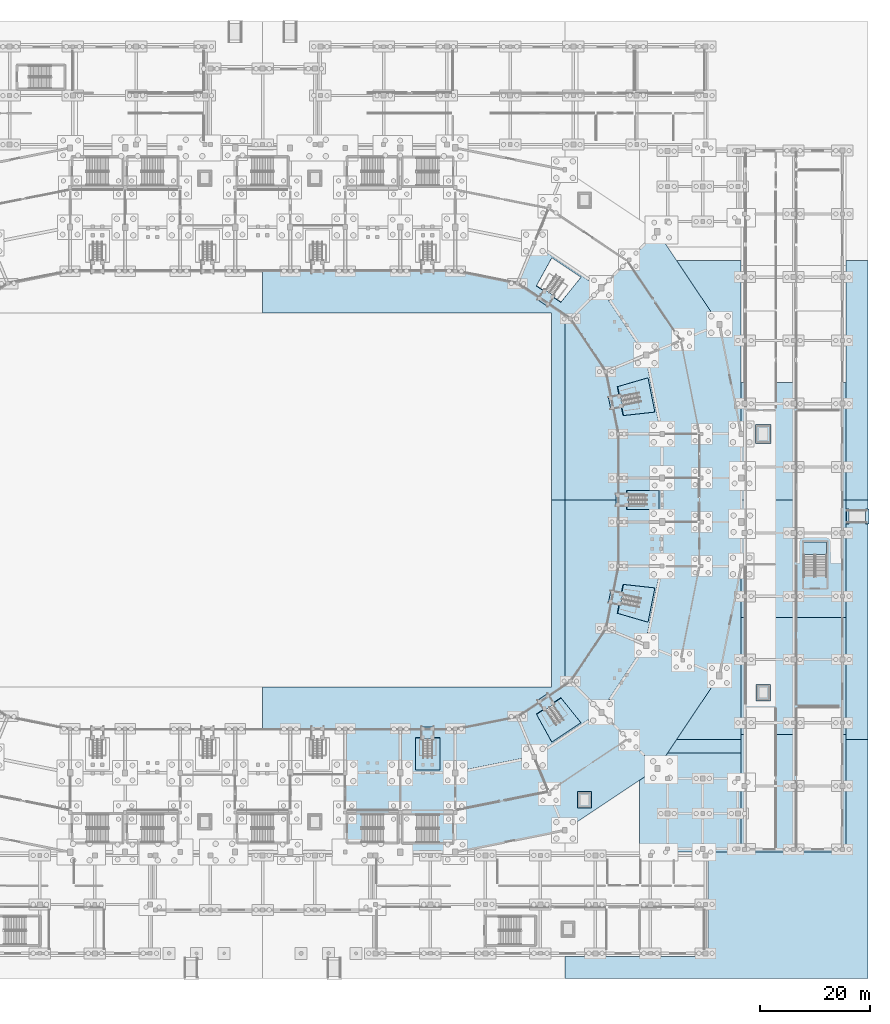
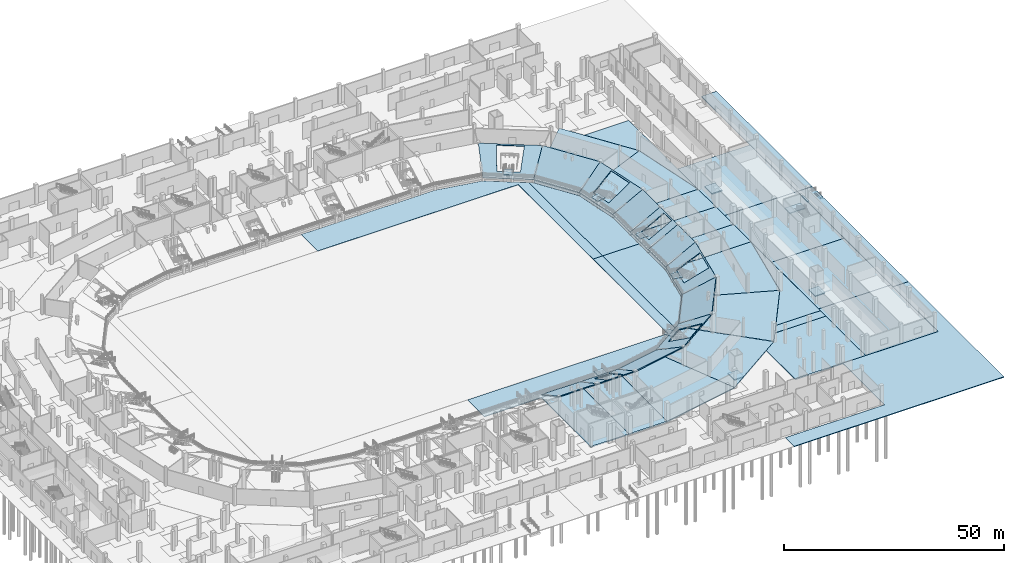
# One storey, part 21 of 68: 50 slabs, 7 elements without a shape of their own.
"""IFC4 building model written with IfcOpenShell, lengths in metres."""

from ifc_helpers import new_model, si_unit, direction, frame, origin, place, context, subcontext, project, spatial, polyline, outline, extrude, material, layer, layer_set, type_object, element, aggregate, save


model = new_model("IFC4")

# Units and contexts
model_context = context("Model", 3, precision=1e-05, world=origin(), true_north=direction((0.0, 1.0)))
body_context = subcontext(model_context, "Body", "Model", "MODEL_VIEW")
ifc_project = project(units=[si_unit("LENGTHUNIT", "METRE"), si_unit("AREAUNIT", "SQUARE_METRE"), si_unit("VOLUMEUNIT", "CUBIC_METRE"), si_unit("PLANEANGLEUNIT", "RADIAN"), si_unit("MASSUNIT", "GRAM", prefix="KILO")], contexts=[model_context])

# Site, building, storey
site_placement = place(None, origin())
site = spatial("IfcSite", under=ifc_project, at=site_placement, CompositionType="ELEMENT")
building_placement = place(site_placement, origin())
building = spatial("IfcBuilding", under=site, at=building_placement, Name="Candeia Ridge Stadium", CompositionType="ELEMENT")
storey_placement = place(building_placement, origin())
storey = spatial("IfcBuildingStorey", under=building, at=storey_placement, Name="L00", CompositionType="ELEMENT", Elevation=0.0)

# Stair, slab
ifc_material_1 = material(Name="Concrete C40/50", Category="concrete")
stair_type_1 = type_object("IfcStairType", Name="Enclosed Wing Half-Turn Stair 2000", PredefinedType="HALF_TURN_STAIR", material=ifc_material_1)
stair_1_placement = place(storey_placement, origin())
stair_1 = element("IfcStair", 1, at=stair_1_placement, inside=storey, type_object=stair_type_1, Name="L00 Enclosed exit stair ST16", PredefinedType="HALF_TURN_STAIR")
ifc_layer_1 = layer(ifc_material_1, 0.199951171875, Name="Concrete C40/50", Category="concrete")
ifc_layer_set_1 = layer_set([ifc_layer_1], Name="Concrete C40/50")
slab_type_1 = type_object("IfcSlabType", Name="Core Stair Landing Slab 200", PredefinedType="LANDING", material=ifc_layer_set_1)
slab_1_placement = place(storey_placement, frame((0.0, 0.0, 2.5)))
slab_1 = element("IfcSlab", 2, at=slab_1_placement, type_object=slab_type_1, Name="ST16 landing 1", PredefinedType="LANDING", context=body_context, shape_type="SweptSolid", body=[
    extrude(outline(polyline([(208.5, 73.06005859375), (208.5, 75.39990234375), (204.35009765625, 75.39990234375), (204.35009765625, 73.06005859375), (208.5, 73.06005859375)])), origin(), (0.0, 0.0, 1.0), 0.199951171875),
])
aggregate(stair_1, [slab_1])

ifc_material_2 = material(Name="Precast concrete C45/55", Category="concrete")
stair_type_2 = type_object("IfcStairType", Name="Spectator Vomitory Straight Stair 2200", PredefinedType="STRAIGHT_RUN_STAIR", material=ifc_material_2)
stair_2_placement = place(storey_placement, origin())
stair_2 = element("IfcStair", 3, at=stair_2_placement, inside=storey, type_object=stair_type_2, Name="Vomitory stair VS13", PredefinedType="STRAIGHT_RUN_STAIR")
slab_2_placement = place(storey_placement, frame((0.0, 0.0, 2.0400390625)))
slab_2 = element("IfcSlab", 4, at=slab_2_placement, type_object=slab_type_1, Name="VS13 landing 1", PredefinedType="LANDING", context=body_context, shape_type="SweptSolid", body=[
    extrude(outline(polyline([(134.8798828125, 39.527587890625), (134.8798828125, 41.778076171875), (137.1201171875, 41.778076171875), (137.1201171875, 39.527587890625), (134.8798828125, 39.527587890625)])), origin(), (0.0, 0.0, 1.0), 0.199951171875),
])
aggregate(stair_2, [slab_2])

stair_3_placement = place(storey_placement, origin())
stair_3 = element("IfcStair", 5, at=stair_3_placement, inside=storey, type_object=stair_type_2, Name="Vomitory stair VS14", PredefinedType="STRAIGHT_RUN_STAIR")
slab_3_placement = place(storey_placement, frame((0.0, 0.0, 2.0400390625)))
slab_3 = element("IfcSlab", 6, at=slab_3_placement, type_object=slab_type_1, Name="VS14 landing 1", PredefinedType="LANDING", context=body_context, shape_type="SweptSolid", body=[
    extrude(outline(polyline([(157.218017578125, 44.712158203125), (155.9677734375, 46.583251953125), (157.830078125, 47.827880859375), (159.08056640625, 45.95654296875), (157.218017578125, 44.712158203125)])), origin(), (0.0, 0.0, 1.0), 0.199951171875),
])
aggregate(stair_3, [slab_3])

stair_4_placement = place(storey_placement, origin())
stair_4 = element("IfcStair", 7, at=stair_4_placement, inside=storey, type_object=stair_type_2, Name="Vomitory stair VS15", PredefinedType="STRAIGHT_RUN_STAIR")
slab_4_placement = place(storey_placement, frame((0.0, 0.0, 2.0400390625)))
slab_4 = element("IfcSlab", 8, at=slab_4_placement, type_object=slab_type_1, Name="VS15 landing 1", PredefinedType="LANDING", context=body_context, shape_type="SweptSolid", body=[
    extrude(outline(polyline([(171.05615234375, 63.879638671875), (168.848876953125, 64.318603515625), (169.285888671875, 66.515625), (171.4931640625, 66.076416015625), (171.05615234375, 63.879638671875)])), origin(), (0.0, 0.0, 1.0), 0.199951171875),
])
aggregate(stair_4, [slab_4])

stair_5_placement = place(storey_placement, origin())
stair_5 = element("IfcStair", 9, at=stair_5_placement, inside=storey, type_object=stair_type_2, Name="Vomitory stair VS16", PredefinedType="STRAIGHT_RUN_STAIR")
slab_5_placement = place(storey_placement, frame((0.0, 0.0, 2.0400390625)))
slab_5 = element("IfcSlab", 10, at=slab_5_placement, type_object=slab_type_1, Name="VS16 landing 1", PredefinedType="LANDING", context=body_context, shape_type="SweptSolid", body=[
    extrude(outline(polyline([(172.472412109375, 81.8798828125), (170.221923828125, 81.8798828125), (170.221923828125, 84.1201171875), (172.472412109375, 84.1201171875), (172.472412109375, 81.8798828125)])), origin(), (0.0, 0.0, 1.0), 0.199951171875),
])
aggregate(stair_5, [slab_5])

stair_6_placement = place(storey_placement, origin())
stair_6 = element("IfcStair", 11, at=stair_6_placement, inside=storey, type_object=stair_type_2, Name="Vomitory stair VS17", PredefinedType="STRAIGHT_RUN_STAIR")
slab_6_placement = place(storey_placement, frame((0.0, 0.0, 2.0400390625)))
slab_6 = element("IfcSlab", 12, at=slab_6_placement, type_object=slab_type_1, Name="VS17 landing 1", PredefinedType="LANDING", context=body_context, shape_type="SweptSolid", body=[
    extrude(outline(polyline([(171.4931640625, 99.923583984375), (169.285888671875, 99.484375), (168.848876953125, 101.681396484375), (171.05615234375, 102.120361328125), (171.4931640625, 99.923583984375)])), origin(), (0.0, 0.0, 1.0), 0.199951171875),
])
aggregate(stair_6, [slab_6])

stair_7_placement = place(storey_placement, origin())
stair_7 = element("IfcStair", 13, at=stair_7_placement, inside=storey, type_object=stair_type_2, Name="Vomitory stair VS18", PredefinedType="STRAIGHT_RUN_STAIR")
slab_7_placement = place(storey_placement, frame((0.0, 0.0, 2.0400390625)))
slab_7 = element("IfcSlab", 14, at=slab_7_placement, type_object=slab_type_1, Name="VS18 landing 1", PredefinedType="LANDING", context=body_context, shape_type="SweptSolid", body=[
    extrude(outline(polyline([(159.08056640625, 120.04345703125), (157.830078125, 118.172119140625), (155.9677734375, 119.416748046875), (157.218017578125, 121.287841796875), (159.08056640625, 120.04345703125)])), origin(), (0.0, 0.0, 1.0), 0.199951171875),
])
aggregate(stair_7, [slab_7])

# Slabs
ifc_material_3 = material(Name="Concrete C35/45", Category="concrete")
ifc_layer_2 = layer(ifc_material_3, 0.18994140625, Name="Concrete C35/45", Category="concrete")
ifc_layer_set_2 = layer_set([ifc_layer_2], Name="Concrete C35/45")
slab_type_2 = type_object("IfcSlabType", Name="Exterior Boulevard Plaza Apron 190", PredefinedType="BASESLAB", material=ifc_layer_set_2)
slab_8_placement = place(storey_placement, frame((0.0, 0.0, -0.18994140625)))
element("IfcSlab", 15, at=slab_8_placement, inside=storey, type_object=slab_type_2, Name="Perimeter boulevard plaza apron SLB-L00-0339", PredefinedType="BASESLAB", context=body_context, shape_type="SweptSolid", body=[
    extrude(outline(polyline([(152.319580078125, 43.672119140625), (140.998046875, 41.419921875), (106.0, 41.419921875), (106.0, 48.97998046875), (158.5, 48.97998046875), (158.501953125, 48.97998046875), (158.50390625, 48.98046875), (158.505859375, 48.98095703125), (158.5078125, 48.9814453125), (158.509521484375, 48.982421875), (158.510986328125, 48.9833984375), (158.5126953125, 48.984619140625), (158.51416015625, 48.98583984375), (158.515380859375, 48.9873046875), (158.5166015625, 48.989013671875), (158.517578125, 48.990478515625), (158.5185546875, 48.9921875), (158.51904296875, 48.994140625), (158.51953125, 48.99609375), (158.52001953125, 48.998046875), (158.52001953125, 49.0), (158.52001953125, 83.0), (161.0, 83.0), (161.0, 49.471923828125), (152.319580078125, 43.672119140625)])), origin(), (0.0, 0.0, 1.0), 0.18994140625),
])
slab_9_placement = place(storey_placement, frame((0.0, 0.0, -0.18994140625)))
element("IfcSlab", 16, at=slab_9_placement, inside=storey, type_object=slab_type_2, Name="Perimeter boulevard plaza apron SLB-L00-0340", PredefinedType="BASESLAB", context=body_context, shape_type="SweptSolid", body=[
    extrude(outline(polyline([(152.319580078125, 122.327880859375), (161.0, 116.528076171875), (161.0, 83.0), (158.52001953125, 83.0), (158.52001953125, 117.0), (158.52001953125, 117.001953125), (158.51953125, 117.00390625), (158.51904296875, 117.005859375), (158.5185546875, 117.0078125), (158.517578125, 117.009521484375), (158.5166015625, 117.010986328125), (158.515380859375, 117.0126953125), (158.51416015625, 117.01416015625), (158.5126953125, 117.015380859375), (158.510986328125, 117.0166015625), (158.509521484375, 117.017578125), (158.5078125, 117.0185546875), (158.505859375, 117.01904296875), (158.50390625, 117.01953125), (158.501953125, 117.02001953125), (158.5, 117.02001953125), (106.0, 117.02001953125), (106.0, 124.580078125), (140.998046875, 124.580078125), (152.319580078125, 122.327880859375)])), origin(), (0.0, 0.0, 1.0), 0.18994140625),
])
slab_10_placement = place(storey_placement, frame((0.0, 0.0, -0.18994140625)))
element("IfcSlab", 17, at=slab_10_placement, inside=storey, type_object=slab_type_2, Name="Perimeter boulevard plaza apron SLB-L00-0343", PredefinedType="BASESLAB", context=body_context, shape_type="SweptSolid", body=[
    extrude(outline(polyline([(216.0, -4.0), (161.0, -4.0), (161.0, -0.02001953125), (187.0, -0.02001953125), (187.001953125, -0.02001953125), (187.00390625, -0.01953125), (187.005859375, -0.01904296875), (187.0078125, -0.0185546875), (187.009521484375, -0.017578125), (187.010986328125, -0.0166015625), (187.0126953125, -0.015380859375), (187.01416015625, -0.01416015625), (187.015380859375, -0.0126953125), (187.0166015625, -0.010986328125), (187.017578125, -0.009521484375), (187.0185546875, -0.0078125), (187.01904296875, -0.005859375), (187.01953125, -0.00390625), (187.02001953125, -0.001953125), (187.02001953125, 0.0), (187.02001953125, 18.97998046875), (212.0, 18.97998046875), (212.001953125, 18.97998046875), (212.00390625, 18.98046875), (212.005859375, 18.98095703125), (212.0078125, 18.9814453125), (212.009521484375, 18.982421875), (212.010986328125, 18.9833984375), (212.0126953125, 18.984619140625), (212.01416015625, 18.98583984375), (212.015380859375, 18.9873046875), (212.0166015625, 18.989013671875), (212.017578125, 18.990478515625), (212.0185546875, 18.9921875), (212.01904296875, 18.994140625), (212.01953125, 18.99609375), (212.02001953125, 18.998046875), (212.02001953125, 19.0), (212.02001953125, 39.5), (216.0, 39.5), (216.0, -4.0)])), origin(), (0.0, 0.0, 1.0), 0.18994140625),
])
slab_11_placement = place(storey_placement, frame((0.0, 0.0, -0.18994140625)))
element("IfcSlab", 18, at=slab_11_placement, inside=storey, type_object=slab_type_2, Name="Perimeter boulevard plaza apron SLB-L00-0344", PredefinedType="BASESLAB", context=body_context, shape_type="SweptSolid", body=[
    extrude(outline(polyline([(179.657470703125, 37.02001953125), (181.314697265625, 39.5), (192.97998046875, 39.5), (192.97998046875, 37.02001953125), (179.657470703125, 37.02001953125)])), origin(), (0.0, 0.0, 1.0), 0.18994140625),
])
slab_12_placement = place(storey_placement, frame((0.0, 0.0, -0.18994140625)))
element("IfcSlab", 19, at=slab_12_placement, inside=storey, type_object=slab_type_2, Name="Perimeter boulevard plaza apron SLB-L00-0346", PredefinedType="BASESLAB", context=body_context, shape_type="SweptSolid", body=[
    extrude(outline(polyline([(216.0, 39.5), (212.02001953125, 39.5), (212.02001953125, 83.0), (216.0, 83.0), (216.0, 39.5)])), origin(), (0.0, 0.0, 1.0), 0.18994140625),
])
slab_13_placement = place(storey_placement, frame((0.0, 0.0, -0.18994140625)))
element("IfcSlab", 20, at=slab_13_placement, inside=storey, type_object=slab_type_2, Name="Perimeter boulevard plaza apron SLB-L00-0347", PredefinedType="BASESLAB", context=body_context, shape_type="SweptSolid", body=[
    extrude(outline(polyline([(189.058349609375, 51.08935546875), (189.059326171875, 51.091064453125), (189.060302734375, 51.0927734375), (189.060791015625, 51.0947265625), (189.061279296875, 51.0966796875), (192.97998046875, 70.796875), (192.97998046875, 39.5), (181.314697265625, 39.5), (189.058349609375, 51.08935546875)])), origin(), (0.0, 0.0, 1.0), 0.18994140625),
])
slab_14_placement = place(storey_placement, frame((0.0, 0.0, -0.18994140625)))
element("IfcSlab", 21, at=slab_14_placement, inside=storey, type_object=slab_type_2, Name="Perimeter boulevard plaza apron SLB-L00-0348", PredefinedType="BASESLAB", context=body_context, shape_type="SweptSolid", body=[
    extrude(outline(polyline([(170.580078125, 71.001953125), (168.327880859375, 59.680419921875), (161.916015625, 50.083984375), (161.0, 49.471923828125), (161.0, 83.0), (170.580078125, 83.0), (170.580078125, 71.001953125)])), origin(), (0.0, 0.0, 1.0), 0.18994140625),
])
slab_15_placement = place(storey_placement, frame((0.0, 0.0, -0.18994140625)))
element("IfcSlab", 22, at=slab_15_placement, inside=storey, type_object=slab_type_2, Name="Perimeter boulevard plaza apron SLB-L00-0349", PredefinedType="BASESLAB", context=body_context, shape_type="SweptSolid", body=[
    extrude(outline(polyline([(216.0, 83.0), (212.02001953125, 83.0), (212.02001953125, 126.5), (216.0, 126.5), (216.0, 83.0)])), origin(), (0.0, 0.0, 1.0), 0.18994140625),
])
slab_16_placement = place(storey_placement, frame((0.0, 0.0, -0.18994140625)))
element("IfcSlab", 23, at=slab_16_placement, inside=storey, type_object=slab_type_2, Name="Perimeter boulevard plaza apron SLB-L00-0350", PredefinedType="BASESLAB", context=body_context, shape_type="SweptSolid", body=[
    extrude(outline(polyline([(192.97998046875, 95.203125), (189.061279296875, 114.9033203125), (189.060791015625, 114.9052734375), (189.060302734375, 114.9072265625), (189.059326171875, 114.908935546875), (189.058349609375, 114.91064453125), (181.314697265625, 126.5), (192.97998046875, 126.5), (192.97998046875, 95.203125)])), origin(), (0.0, 0.0, 1.0), 0.18994140625),
])
slab_17_placement = place(storey_placement, frame((0.0, 0.0, -0.18994140625)))
element("IfcSlab", 24, at=slab_17_placement, inside=storey, type_object=slab_type_2, Name="Perimeter boulevard plaza apron SLB-L00-0351", PredefinedType="BASESLAB", context=body_context, shape_type="SweptSolid", body=[
    extrude(outline(polyline([(161.916015625, 115.916015625), (168.327880859375, 106.319580078125), (170.580078125, 94.998046875), (170.580078125, 83.0), (161.0, 83.0), (161.0, 116.528076171875), (161.916015625, 115.916015625)])), origin(), (0.0, 0.0, 1.0), 0.18994140625),
])
ifc_layer_3 = layer(ifc_material_1, 0.300048828125, Name="Concrete C40/50", Category="concrete")
ifc_layer_set_3 = layer_set([ifc_layer_3], Name="Concrete C40/50")
slab_type_3 = type_object("IfcSlabType", Name="Ground Base Slab 300", PredefinedType="BASESLAB", material=ifc_layer_set_3)
slab_18_placement = place(storey_placement, frame((0.0, 0.0, -1.39990234375)))
element("IfcSlab", 25, at=slab_18_placement, inside=storey, type_object=slab_type_3, Name="Lift EL1 pit base slab", PredefinedType="BASESLAB", context=body_context, shape_type="SweptSolid", body=[
    extrude(outline(polyline([(163.199951171875, 27.0), (165.800048828125, 27.0), (165.800048828125, 30.0), (163.199951171875, 30.0), (163.199951171875, 27.0)])), origin(), (0.0, 0.0, 1.0), 0.2998046875),
])
slab_19_placement = place(storey_placement, frame((0.0, 0.0, -1.39990234375)))
element("IfcSlab", 26, at=slab_19_placement, inside=storey, type_object=slab_type_3, Name="Lift PL8 pit base slab", PredefinedType="BASESLAB", context=body_context, shape_type="SweptSolid", body=[
    extrude(outline(polyline([(195.699951171875, 46.5), (198.300048828125, 46.5), (198.300048828125, 49.5), (195.699951171875, 49.5), (195.699951171875, 46.5)])), origin(), (0.0, 0.0, 1.0), 0.2998046875),
])
slab_20_placement = place(storey_placement, frame((0.0, 0.0, -1.39990234375)))
element("IfcSlab", 27, at=slab_20_placement, inside=storey, type_object=slab_type_3, Name="Lift GL2 pit base slab", PredefinedType="BASESLAB", context=body_context, shape_type="SweptSolid", body=[
    extrude(outline(polyline([(195.60009765625, 93.300048828125), (198.39990234375, 93.300048828125), (198.39990234375, 96.699951171875), (195.60009765625, 96.699951171875), (195.60009765625, 93.300048828125)])), origin(), (0.0, 0.0, 1.0), 0.2998046875),
])
slab_21_placement = place(storey_placement, frame((0.0, 0.0, -0.300048828125)))
element("IfcSlab", 28, at=slab_21_placement, inside=storey, type_object=slab_type_3, Name="Bowl concourse sector slab L00 bay 24 SLB-L00-0024", PredefinedType="BASESLAB", context=body_context, shape_type="SweptSolid", body=[
    extrude(outline(polyline([(121.0, 41.39990234375), (131.0, 41.39990234375), (131.0, 19.0), (121.0, 19.0), (121.0, 41.39990234375)])), origin(), (0.0, 0.0, 1.0), 0.300048828125),
])
slab_22_placement = place(storey_placement, frame((0.0, 0.0, -0.300048828125)))
element("IfcSlab", 29, at=slab_22_placement, inside=storey, type_object=slab_type_3, Name="Bowl concourse sector slab L00 bay 25 SLB-L00-0025", PredefinedType="BASESLAB", context=body_context, shape_type="SweptSolid", body=[
    extrude(outline(polyline([(131.0, 41.39990234375), (141.0, 41.39990234375), (141.0, 19.0), (131.0, 19.0), (131.0, 41.39990234375)])), origin(), (0.0, 0.0, 1.0), 0.300048828125),
])
slab_23_placement = place(storey_placement, frame((0.0, 0.0, -0.300048828125)))
element("IfcSlab", 30, at=slab_23_placement, inside=storey, type_object=slab_type_3, Name="Bowl concourse sector slab L00 bay 26 SLB-L00-0026", PredefinedType="BASESLAB", context=body_context, shape_type="SweptSolid", body=[
    extrude(outline(polyline([(141.0, 41.39990234375), (152.327392578125, 43.6533203125), (160.8994140625, 22.958251953125), (141.0, 19.0), (141.0, 41.39990234375)])), origin(), (0.0, 0.0, 1.0), 0.300048828125),
])
slab_24_placement = place(storey_placement, frame((0.0, 0.0, -0.300048828125)))
element("IfcSlab", 31, at=slab_24_placement, inside=storey, type_object=slab_type_3, Name="Bowl concourse sector slab L00 bay 27 SLB-L00-0027", PredefinedType="BASESLAB", context=body_context, shape_type="SweptSolid", body=[
    extrude(outline(polyline([(152.327392578125, 43.6533203125), (161.897216796875, 50.04736328125), (177.736328125, 34.208251953125), (160.8994140625, 22.958251953125), (152.327392578125, 43.6533203125)])), origin(), (0.0, 0.0, 1.0), 0.300048828125),
])
slab_25_placement = place(storey_placement, frame((0.0, 0.0, -0.300048828125)))
element("IfcSlab", 32, at=slab_25_placement, inside=storey, type_object=slab_type_3, Name="Bowl concourse sector slab L00 bay 28 SLB-L00-0028", PredefinedType="BASESLAB", context=body_context, shape_type="SweptSolid", body=[
    extrude(outline(polyline([(161.95263671875, 50.102783203125), (168.3466796875, 59.672607421875), (189.041748046875, 51.1005859375), (177.791748046875, 34.263671875), (161.95263671875, 50.102783203125)])), origin(), (0.0, 0.0, 1.0), 0.300048828125),
])
slab_26_placement = place(storey_placement, frame((0.0, 0.0, -0.300048828125)))
element("IfcSlab", 33, at=slab_26_placement, inside=storey, type_object=slab_type_3, Name="Bowl concourse sector slab L00 bay 29 SLB-L00-0029", PredefinedType="BASESLAB", context=body_context, shape_type="SweptSolid", body=[
    extrude(outline(polyline([(168.3466796875, 59.672607421875), (170.60009765625, 71.0), (193.0, 71.0), (189.041748046875, 51.1005859375), (168.3466796875, 59.672607421875)])), origin(), (0.0, 0.0, 1.0), 0.300048828125),
])
slab_27_placement = place(storey_placement, frame((0.0, 0.0, -0.300048828125)))
element("IfcSlab", 34, at=slab_27_placement, inside=storey, type_object=slab_type_3, Name="Bowl concourse sector slab L00 bay 30 SLB-L00-0030", PredefinedType="BASESLAB", context=body_context, shape_type="SweptSolid", body=[
    extrude(outline(polyline([(170.60009765625, 71.0), (170.60009765625, 79.0), (193.0, 79.0), (193.0, 71.0), (170.60009765625, 71.0)])), origin(), (0.0, 0.0, 1.0), 0.300048828125),
])
slab_28_placement = place(storey_placement, frame((0.0, 0.0, -0.300048828125)))
element("IfcSlab", 35, at=slab_28_placement, inside=storey, type_object=slab_type_3, Name="Bowl concourse sector slab L00 bay 31 SLB-L00-0031", PredefinedType="BASESLAB", context=body_context, shape_type="SweptSolid", body=[
    extrude(outline(polyline([(170.60009765625, 79.0), (170.60009765625, 87.0), (193.0, 87.0), (193.0, 79.0), (170.60009765625, 79.0)])), origin(), (0.0, 0.0, 1.0), 0.300048828125),
])
slab_29_placement = place(storey_placement, frame((0.0, 0.0, -0.300048828125)))
element("IfcSlab", 36, at=slab_29_placement, inside=storey, type_object=slab_type_3, Name="Bowl concourse sector slab L00 bay 32 SLB-L00-0032", PredefinedType="BASESLAB", context=body_context, shape_type="SweptSolid", body=[
    extrude(outline(polyline([(170.60009765625, 87.0), (170.60009765625, 95.0), (193.0, 95.0), (193.0, 87.0), (170.60009765625, 87.0)])), origin(), (0.0, 0.0, 1.0), 0.300048828125),
])
slab_30_placement = place(storey_placement, frame((0.0, 0.0, -0.300048828125)))
element("IfcSlab", 37, at=slab_30_placement, inside=storey, type_object=slab_type_3, Name="Bowl concourse sector slab L00 bay 33 SLB-L00-0033", PredefinedType="BASESLAB", context=body_context, shape_type="SweptSolid", body=[
    extrude(outline(polyline([(170.60009765625, 95.0), (168.3466796875, 106.327392578125), (189.041748046875, 114.8994140625), (193.0, 95.0), (170.60009765625, 95.0)])), origin(), (0.0, 0.0, 1.0), 0.300048828125),
])
slab_31_placement = place(storey_placement, frame((0.0, 0.0, -0.300048828125)))
element("IfcSlab", 38, at=slab_31_placement, inside=storey, type_object=slab_type_3, Name="Bowl concourse sector slab L00 bay 34 SLB-L00-0034", PredefinedType="BASESLAB", context=body_context, shape_type="SweptSolid", body=[
    extrude(outline(polyline([(168.3466796875, 106.327392578125), (161.930419921875, 115.930419921875), (177.76953125, 131.76953125), (189.041748046875, 114.8994140625), (168.3466796875, 106.327392578125)])), origin(), (0.0, 0.0, 1.0), 0.300048828125),
])
slab_32_placement = place(storey_placement, frame((0.0, 0.0, -0.300048828125)))
element("IfcSlab", 39, at=slab_32_placement, inside=storey, type_object=slab_type_3, Name="Wing floor slab sp_se SLB-L00-0210", PredefinedType="BASESLAB", context=body_context, shape_type="SweptSolid", body=[
    extrude(outline(polyline([(193.0, 37.0), (193.0, 19.0), (174.5, 19.0), (174.5, 32.039794921875), (177.772216796875, 34.226318359375), (177.772705078125, 34.2265625), (177.773193359375, 34.226806640625), (177.7734375, 34.227294921875), (177.773681640625, 34.227783203125), (179.626220703125, 37.0), (193.0, 37.0)])), origin(), (0.0, 0.0, 1.0), 0.300048828125),
])
slab_33_placement = place(storey_placement, frame((0.0, 0.0, -0.820068359375)))
element("IfcSlab", 40, at=slab_33_placement, inside=storey, type_object=slab_type_3, Name="Ramp bot threshold base slab RMP-E1", PredefinedType="BASESLAB", context=body_context, shape_type="SweptSolid", body=[
    extrude(outline(polyline([(216.25, 81.320068359375), (215.60009765625, 81.320068359375), (215.60009765625, 78.679931640625), (216.25, 78.679931640625), (216.25, 81.320068359375)])), origin(), (0.0, 0.0, 1.0), 0.51953125),
])
slab_34_placement = place(storey_placement, frame((0.0, 0.0, -0.52001953125)))
element("IfcSlab", 41, at=slab_34_placement, inside=storey, type_object=slab_type_3, Name="Ramp top threshold base slab RMP-E1", PredefinedType="BASESLAB", context=body_context, shape_type="SweptSolid", body=[
    extrude(outline(polyline([(212.6201171875, 81.320068359375), (212.159912109375, 81.320068359375), (212.159912109375, 78.679931640625), (212.6201171875, 78.679931640625), (212.6201171875, 81.320068359375)])), origin(), (0.0, 0.0, 1.0), 0.300537109375),
])
ifc_layer_4 = layer(ifc_material_1, 0.340087890625, Name="Concrete C40/50", Category="concrete")
ifc_layer_set_4 = layer_set([ifc_layer_4], Name="Concrete C40/50")
slab_type_4 = type_object("IfcSlabType", Name="Heavy Plant & Dock Base Slab 340", PredefinedType="BASESLAB", material=ifc_layer_set_4)
slab_35_placement = place(storey_placement, frame((0.0, 0.0, -0.340087890625)))
element("IfcSlab", 42, at=slab_35_placement, inside=storey, type_object=slab_type_4, Name="Wing floor slab east SLB-L00-0187", PredefinedType="BASESLAB", context=body_context, shape_type="SweptSolid", body=[
    extrude(outline(polyline([(212.0, 19.0), (212.0, 40.333251953125), (193.0, 40.333251953125), (193.0, 19.0), (212.0, 19.0)])), origin(), (0.0, 0.0, 1.0), 0.340087890625),
])
slab_36_placement = place(storey_placement, frame((0.0, 0.0, -0.340087890625)))
element("IfcSlab", 43, at=slab_36_placement, inside=storey, type_object=slab_type_4, Name="Wing floor slab east SLB-L00-0188", PredefinedType="BASESLAB", context=body_context, shape_type="SweptSolid", body=[
    extrude(outline(polyline([(212.0, 40.333251953125), (212.0, 61.666748046875), (193.0, 61.666748046875), (193.0, 40.333251953125), (212.0, 40.333251953125)])), origin(), (0.0, 0.0, 1.0), 0.340087890625),
])
slab_37_placement = place(storey_placement, frame((0.0, 0.0, -0.340087890625)))
element("IfcSlab", 44, at=slab_37_placement, inside=storey, type_object=slab_type_4, Name="Wing floor slab east SLB-L00-0189", PredefinedType="BASESLAB", context=body_context, shape_type="SweptSolid", body=[
    extrude(outline(polyline([(212.0, 61.666748046875), (212.0, 83.0), (193.0, 83.0), (193.0, 61.666748046875), (212.0, 61.666748046875)])), origin(), (0.0, 0.0, 1.0), 0.340087890625),
])
slab_38_placement = place(storey_placement, frame((0.0, 0.0, -0.340087890625)))
element("IfcSlab", 45, at=slab_38_placement, inside=storey, type_object=slab_type_4, Name="Wing floor slab east SLB-L00-0190", PredefinedType="BASESLAB", context=body_context, shape_type="SweptSolid", body=[
    extrude(outline(polyline([(212.0, 83.0), (212.0, 104.333251953125), (193.0, 104.333251953125), (193.0, 83.0), (212.0, 83.0)])), origin(), (0.0, 0.0, 1.0), 0.340087890625),
])
ifc_layer_5 = layer(ifc_material_2, 0.219970703125, Name="Precast concrete C45/55", Category="concrete")
ifc_layer_set_5 = layer_set([ifc_layer_5], Name="Precast concrete C45/55")
slab_type_5 = type_object("IfcSlabType", Name="Lower Seating Tier Precast 220", PredefinedType="USERDEFINED", material=ifc_layer_set_5)
slab_39_placement = place(storey_placement, frame((121.0, 41.39990234375, 0.85009765625), z_axis=(0.0, 0.474104753383, 0.880468445102), x_axis=(1.0, 0.0, 0.0)))
element("IfcSlab", 46, at=slab_39_placement, inside=storey, type_object=slab_type_5, Name="Stand Lower Tier Stands Bay 24", ObjectType="SEATING TIER", PredefinedType="USERDEFINED", context=body_context, shape_type="SweptSolid", body=[
    extrude(outline(polyline([(0.0, 0.0), (10.0, 0.0), (10.0, -8.858698719861804), (0.0, -8.858698719861804), (0.0, 0.0)])), origin(), (0.0, 0.0, -1.0), 0.219970703125),
])
slab_40_placement = place(storey_placement, frame((131.0, 41.39990234375, 0.85009765625), z_axis=(0.0, 0.474104753383, 0.880468445102), x_axis=(1.0, 0.0, 0.0)))
element("IfcSlab", 47, at=slab_40_placement, inside=storey, type_object=slab_type_5, Name="Stand Lower Tier Stands Bay 25", ObjectType="SEATING TIER", PredefinedType="USERDEFINED", context=body_context, shape_type="SweptSolid", body=[
    extrude(outline(polyline([(0.0, 0.0), (10.0, 0.0), (10.0, -8.858698719861804), (0.0, -8.858698719861804), (0.0, 0.0)]), holes=[polyline([(2.800048828125, -1.7715413201639891), (7.199951171875, -1.7715413201639891), (7.199951171875, -8.504347464205711), (2.800048828125, -8.504347464205711), (2.800048828125, -1.7715413201639891)])]), origin(), (0.0, 0.0, -1.0), 0.219970703125),
])
slab_41_placement = place(storey_placement, frame((141.0, 41.39990234375, 0.85009765625), z_axis=(-0.093892154148, 0.472009207859, 0.876579472202), x_axis=(0.980783509067, 0.195099226914, -8.61451e-07)))
element("IfcSlab", 48, at=slab_41_placement, inside=storey, type_object=slab_type_5, Name="Stand Lower Tier Stands Bay 26", ObjectType="SEATING TIER", PredefinedType="USERDEFINED", context=body_context, shape_type="SweptSolid", body=[
    extrude(outline(polyline([(0.0, 0.0), (11.54883341511964, -4.440892098500626e-16), (13.070678230603427, -8.72706529613274), (-1.5217394826634483, -8.727018503249294), (0.0, 0.0)])), origin(), (0.0, 0.0, -1.0), 0.219970703125),
])
slab_42_placement = place(storey_placement, frame((152.326904296875, 43.653076171875, 0.85009765625), z_axis=(-0.267354976349, 0.40007469897, 0.876619388256), x_axis=(0.83144817327, 0.555602317356, 1.0696589e-05)))
element("IfcSlab", 49, at=slab_42_placement, inside=storey, type_object=slab_type_5, Name="Stand Lower Tier Stands Bay 27", ObjectType="SEATING TIER", PredefinedType="USERDEFINED", context=body_context, shape_type="SweptSolid", body=[
    extrude(outline(polyline([(0.0, 0.0), (11.549715272654334, -8.881784197001252e-16), (13.071357187186356, -8.728070071520815), (-1.5216936557355443, -8.726621720218118), (0.0, 0.0)]), holes=[polyline([(3.1001893720788214, -1.745753728325185), (8.449676988773883, -1.7460044197035416), (8.958494390310209, -8.378323095313991), (2.5912201300574864, -8.378534536712223), (3.1001893720788214, -1.745753728325185)])]), origin(), (0.0, 0.0, -1.0), 0.219970703125),
])
slab_43_placement = place(storey_placement, frame((161.929931640625, 50.070068359375, 0.85009765625), z_axis=(-0.400146191415, 0.267402742921, 0.876572186745), x_axis=(0.555602316054, 0.83144817414, -1.0691249e-05)))
element("IfcSlab", 50, at=slab_43_placement, inside=storey, type_object=slab_type_5, Name="Stand Lower Tier Stands Bay 28", ObjectType="SEATING TIER", PredefinedType="USERDEFINED", context=body_context, shape_type="SweptSolid", body=[
    extrude(outline(polyline([(0.0, 0.0), (11.5497152726551, -8.881784197001252e-16), (13.07140892838901, -8.727091653223518), (-1.521641914530392, -8.728540035808216), (0.0, 0.0)])), origin(), (0.0, 0.0, -1.0), 0.219970703125),
])
slab_44_placement = place(storey_placement, frame((168.346923828125, 59.673095703125, 0.85009765625), z_axis=(-0.472009207859, 0.093892154148, 0.876579472202), x_axis=(0.195099226914, 0.980783509067, 8.61451e-07)))
element("IfcSlab", 51, at=slab_44_placement, inside=storey, type_object=slab_type_5, Name="Stand Lower Tier Stands Bay 29", ObjectType="SEATING TIER", PredefinedType="USERDEFINED", context=body_context, shape_type="SweptSolid", body=[
    extrude(outline(polyline([(0.0, 0.0), (11.54883341511964, 4.440892098500626e-16), (13.070572897783089, -8.727018503249294), (-1.5218448154837856, -8.72706529613274), (0.0, 0.0)]), holes=[polyline([(3.098975818880261, -1.745144164007621), (8.448696958250268, -1.7455557495596354), (8.957858697508234, -8.378576757135994), (2.5904498493982855, -8.377786173205848), (3.098975818880261, -1.745144164007621)])]), origin(), (0.0, 0.0, -1.0), 0.219970703125),
])
slab_45_placement = place(storey_placement, frame((170.60009765625, 71.0, 0.85009765625), z_axis=(-0.474104753383, 0.0, 0.880468445102), x_axis=(0.0, 1.0, 0.0)))
element("IfcSlab", 52, at=slab_45_placement, inside=storey, type_object=slab_type_5, Name="Stand Lower Tier Stands Bay 30", ObjectType="SEATING TIER", PredefinedType="USERDEFINED", context=body_context, shape_type="SweptSolid", body=[
    extrude(outline(polyline([(0.0, 0.0), (8.0, 0.0), (8.0, -8.858698719861803), (0.0, -8.858698719861803), (0.0, 0.0)])), origin(), (0.0, 0.0, -1.0), 0.219970703125),
])
slab_46_placement = place(storey_placement, frame((170.60009765625, 79.0, 0.85009765625), z_axis=(-0.474104753383, 0.0, 0.880468445102), x_axis=(0.0, 1.0, 0.0)))
element("IfcSlab", 53, at=slab_46_placement, inside=storey, type_object=slab_type_5, Name="Stand Lower Tier Stands Bay 31", ObjectType="SEATING TIER", PredefinedType="USERDEFINED", context=body_context, shape_type="SweptSolid", body=[
    extrude(outline(polyline([(0.0, 0.0), (8.0, 0.0), (8.0, -8.858698719861803), (0.0, -8.858698719861803), (0.0, 0.0)]), holes=[polyline([(2.239990234375, -1.7715413201639887), (5.760009765625, -1.7715413201639887), (5.760009765625, -8.50434746420571), (2.239990234375, -8.50434746420571), (2.239990234375, -1.7715413201639887)])]), origin(), (0.0, 0.0, -1.0), 0.219970703125),
])
slab_47_placement = place(storey_placement, frame((170.60009765625, 87.0, 0.85009765625), z_axis=(-0.474104753383, 0.0, 0.880468445102), x_axis=(0.0, 1.0, 0.0)))
element("IfcSlab", 54, at=slab_47_placement, inside=storey, type_object=slab_type_5, Name="Stand Lower Tier Stands Bay 32", ObjectType="SEATING TIER", PredefinedType="USERDEFINED", context=body_context, shape_type="SweptSolid", body=[
    extrude(outline(polyline([(0.0, 0.0), (8.0, 0.0), (8.0, -8.858698719861803), (0.0, -8.858698719861803), (0.0, 0.0)])), origin(), (0.0, 0.0, -1.0), 0.219970703125),
])
slab_48_placement = place(storey_placement, frame((170.60009765625, 95.0, 0.85009765625), z_axis=(-0.472009207859, -0.093892154148, 0.876579472202), x_axis=(-0.195099226914, 0.980783509067, -8.61451e-07)))
element("IfcSlab", 55, at=slab_48_placement, inside=storey, type_object=slab_type_5, Name="Stand Lower Tier Stands Bay 33", ObjectType="SEATING TIER", PredefinedType="USERDEFINED", context=body_context, shape_type="SweptSolid", body=[
    extrude(outline(polyline([(0.0, 0.0), (11.54883341511964, -4.440892098500626e-16), (13.070678230603427, -8.72706529613274), (-1.5217394826634483, -8.727018503249294), (0.0, 0.0)]), holes=[polyline([(3.100136456869372, -1.7455557495596359), (8.449857596239381, -1.7451441640076217), (8.958383565721356, -8.377786173205848), (2.5909747176114055, -8.378576757135994), (3.100136456869372, -1.7455557495596359)])]), origin(), (0.0, 0.0, -1.0), 0.219970703125),
])
slab_49_placement = place(storey_placement, frame((168.346923828125, 106.326904296875, 0.85009765625), z_axis=(-0.40007469897, -0.267354976349, 0.876619388256), x_axis=(-0.555602317356, 0.83144817327, 1.0696589e-05)))
element("IfcSlab", 56, at=slab_49_placement, inside=storey, type_object=slab_type_5, Name="Stand Lower Tier Stands Bay 34", ObjectType="SEATING TIER", PredefinedType="USERDEFINED", context=body_context, shape_type="SweptSolid", body=[
    extrude(outline(polyline([(0.0, 0.0), (11.549715272654334, -8.881784197001252e-16), (13.071357187186356, -8.728070071520815), (-1.5216936557355443, -8.726621720218118), (0.0, 0.0)])), origin(), (0.0, 0.0, -1.0), 0.219970703125),
])
slab_50_placement = place(storey_placement, frame((161.929931640625, 115.929931640625, 0.85009765625), z_axis=(-0.267402742921, -0.400146191415, 0.876572186745), x_axis=(-0.83144817414, 0.555602316054, -1.0691249e-05)))
element("IfcSlab", 57, at=slab_50_placement, inside=storey, type_object=slab_type_5, Name="Stand Lower Tier Stands Bay 35", ObjectType="SEATING TIER", PredefinedType="USERDEFINED", context=body_context, shape_type="SweptSolid", body=[
    extrude(outline(polyline([(0.0, 0.0), (11.5497152726551, -8.881784197001252e-16), (13.07140892838901, -8.727091653223518), (-1.521641914530392, -8.728540035808216), (0.0, 0.0)]), holes=[polyline([(3.100038285967532, -1.7460043770237244), (8.449525902663396, -1.7457536991438287), (8.958495152623069, -8.378534536926399), (2.5912208923703006, -8.378323106913212), (3.100038285967532, -1.7460043770237244)])]), origin(), (0.0, 0.0, -1.0), 0.219970703125),
])

save(model, "model.ifc")
